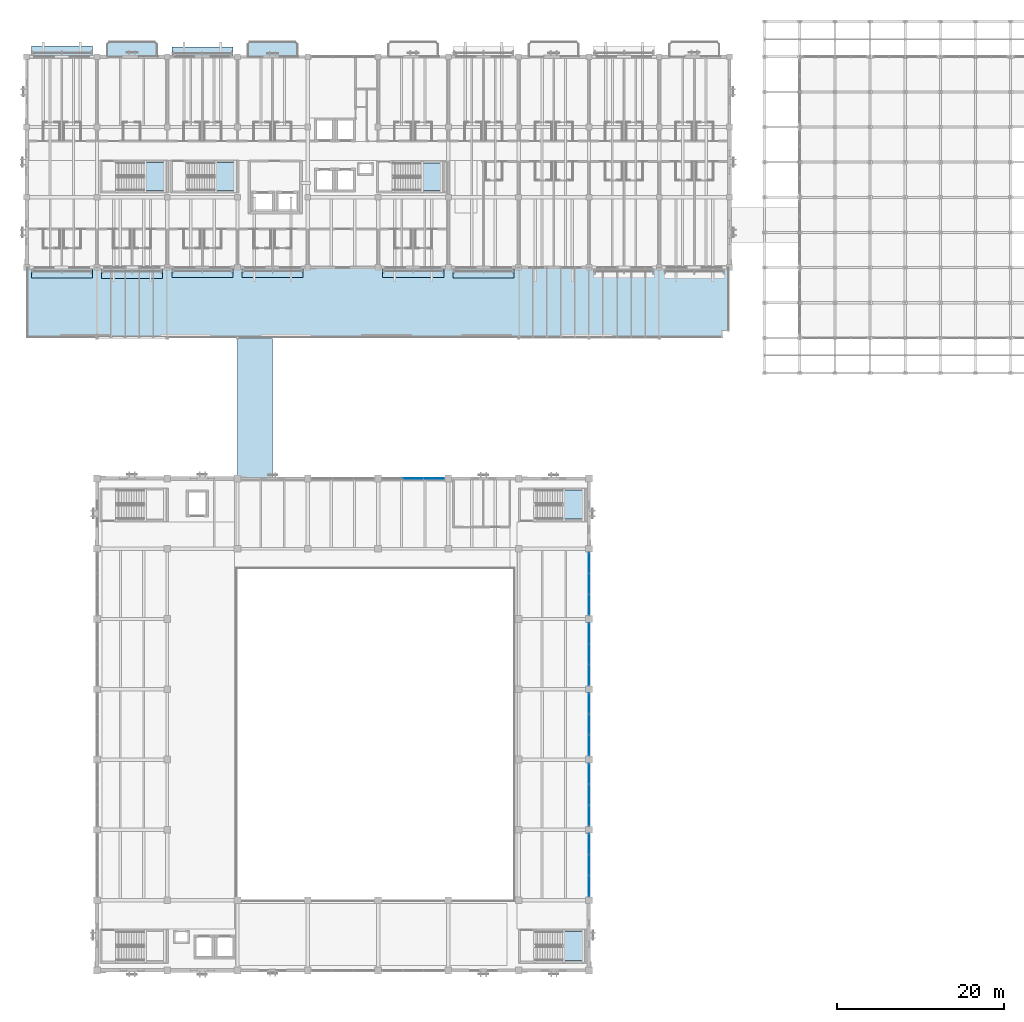
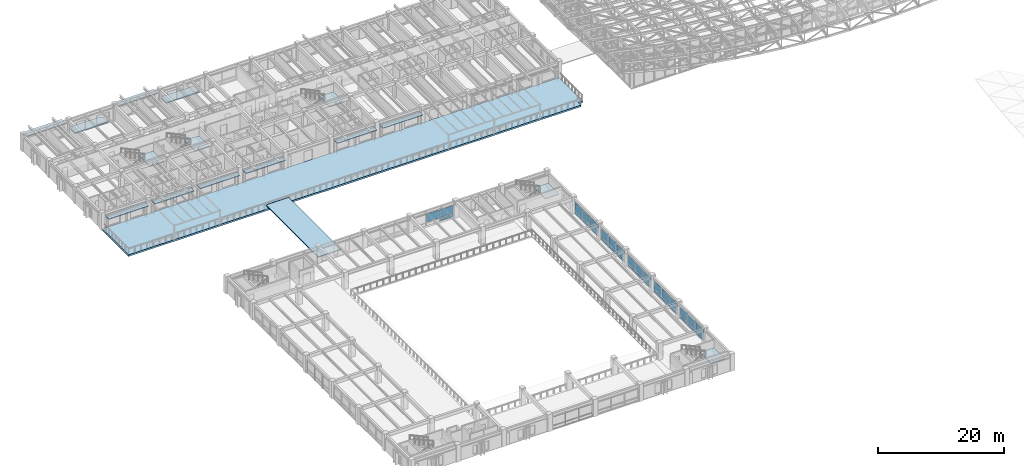
# One storey, part 63 of 111: 41 plates, 9 slabs, 19 elements without a shape of their own.
"""IFC4 building model written with IfcOpenShell, lengths in metres."""

from ifc_helpers import new_model, si_unit, direction, frame, origin, origin_2d, place, context, subcontext, project, spatial, polyline, rectangle, outline, extrude, material, layer, layer_set, type_object, element, aggregate, save


model = new_model("IFC4")

# Units and contexts
model_context = context("Model", 3, precision=1e-05, world=origin(), true_north=direction((0.0, 1.0)))
body_context = subcontext(model_context, "Body", "Model", "MODEL_VIEW")
ifc_project = project(units=[si_unit("LENGTHUNIT", "METRE"), si_unit("AREAUNIT", "SQUARE_METRE"), si_unit("VOLUMEUNIT", "CUBIC_METRE"), si_unit("PLANEANGLEUNIT", "RADIAN"), si_unit("MASSUNIT", "GRAM", prefix="KILO")], contexts=[model_context])

# Site, building, storey
site_placement = place(None, origin())
site = spatial("IfcSite", under=ifc_project, at=site_placement, CompositionType="ELEMENT")
building_placement = place(site_placement, origin())
building = spatial("IfcBuilding", under=site, at=building_placement, Name="Cumbredor Promenade Congress Hotel", CompositionType="ELEMENT")
storey_placement = place(building_placement, frame((0.0, 0.0, 15.1201171875)))
storey = spatial("IfcBuildingStorey", under=building, at=storey_placement, Name="L04", CompositionType="ELEMENT", Elevation=15.1201171875)

# Slabs
ifc_material_1 = material(Name="Concrete C40/50", Category="concrete")
ifc_layer_1 = layer(ifc_material_1, 0.215087890625, Name="Concrete C40/50", Category="concrete")
ifc_layer_set_1 = layer_set([ifc_layer_1], Name="Concrete C40/50")
slab_type_1 = type_object("IfcSlabType", Name="Cantilevered Guestroom Balcony Slab 215mm", PredefinedType="FLOOR", material=ifc_layer_set_1)
slab_1_placement = place(storey_placement, frame((0.0, 0.0, -0.215087890625)))
element("IfcSlab", 1, at=slab_1_placement, inside=storey, type_object=slab_type_1, Name="L04 Cantilevered Guestroom Veranda Balcony 020", PredefinedType="FLOOR", context=body_context, shape_type="SweptSolid", body=[
    extrude(outline(polyline([(9.550048828125, 117.60009765625), (15.64990234375, 117.60009765625), (15.64990234375, 119.10009765625), (15.300048828125, 119.449951171875), (9.89990234375, 119.449951171875), (9.550048828125, 119.10009765625), (9.550048828125, 117.60009765625)])), origin(), (0.0, 0.0, 1.0), 0.215087890625),
])
slab_2_placement = place(storey_placement, frame((0.0, 0.0, -0.215087890625)))
element("IfcSlab", 2, at=slab_2_placement, inside=storey, type_object=slab_type_1, Name="L04 Cantilevered Guestroom Veranda Balcony 021", PredefinedType="FLOOR", context=body_context, shape_type="SweptSolid", body=[
    extrude(outline(polyline([(26.35009765625, 117.60009765625), (32.449951171875, 117.60009765625), (32.449951171875, 119.10009765625), (32.10009765625, 119.449951171875), (26.699951171875, 119.449951171875), (26.35009765625, 119.10009765625), (26.35009765625, 117.60009765625)])), origin(), (0.0, 0.0, 1.0), 0.215087890625),
])

# Stair, slab
stair_type_1 = type_object("IfcStairType", Name="Protected Dog-Leg Exit Stair ST-T2 1600mm", PredefinedType="HALF_TURN_STAIR", material=ifc_material_1)
stair_1_placement = place(storey_placement, origin())
stair_1 = element("IfcStair", 3, at=stair_1_placement, inside=storey, type_object=stair_type_1, Name="L04 Protected Exit Stair ST-01", PredefinedType="HALF_TURN_STAIR")
ifc_layer_2 = layer(ifc_material_1, 0.199951171875, Name="Concrete C40/50", Category="concrete")
ifc_layer_set_2 = layer_set([ifc_layer_2], Name="Concrete C40/50")
slab_type_2 = type_object("IfcSlabType", Name="Concrete Stair Landing Slab 200mm", PredefinedType="LANDING", material=ifc_layer_set_2)
slab_3_placement = place(storey_placement, frame((0.0, 0.0, 1.47998046875)))
slab_3 = element("IfcSlab", 4, at=slab_3_placement, type_object=slab_type_2, Name="ST-01 landing 1", PredefinedType="LANDING", context=body_context, shape_type="SweptSolid", body=[
    extrude(outline(polyline([(14.050048828125, 101.6201171875), (16.64990234375, 101.6201171875), (16.64990234375, 104.969970703125), (14.050048828125, 104.969970703125), (14.050048828125, 101.6201171875)])), origin(), (0.0, 0.0, 1.0), 0.199951171875),
])
aggregate(stair_1, [slab_3])

stair_2_placement = place(storey_placement, origin())
stair_2 = element("IfcStair", 5, at=stair_2_placement, inside=storey, type_object=stair_type_1, Name="L04 Protected Exit Stair ST-02", PredefinedType="HALF_TURN_STAIR")
slab_4_placement = place(storey_placement, frame((0.0, 0.0, 1.47998046875)))
slab_4 = element("IfcSlab", 6, at=slab_4_placement, type_object=slab_type_2, Name="ST-02 landing 1", PredefinedType="LANDING", context=body_context, shape_type="SweptSolid", body=[
    extrude(outline(polyline([(22.449951171875, 101.6201171875), (25.050048828125, 101.6201171875), (25.050048828125, 104.969970703125), (22.449951171875, 104.969970703125), (22.449951171875, 101.6201171875)])), origin(), (0.0, 0.0, 1.0), 0.199951171875),
])
aggregate(stair_2, [slab_4])

stair_type_2 = type_object("IfcStairType", Name="Protected Dog-Leg Exit Stair ST-T1 1550mm", PredefinedType="HALF_TURN_STAIR", material=ifc_material_1)
stair_3_placement = place(storey_placement, origin())
stair_3 = element("IfcStair", 7, at=stair_3_placement, inside=storey, type_object=stair_type_2, Name="L04 Protected Exit Stair ST-03", PredefinedType="HALF_TURN_STAIR")
slab_5_placement = place(storey_placement, frame((0.0, 0.0, 1.47998046875)))
slab_5 = element("IfcSlab", 8, at=slab_5_placement, type_object=slab_type_2, Name="ST-03 landing 1", PredefinedType="LANDING", context=body_context, shape_type="SweptSolid", body=[
    extrude(outline(polyline([(47.10009765625, 101.6201171875), (49.699951171875, 101.6201171875), (49.699951171875, 104.8701171875), (47.10009765625, 104.8701171875), (47.10009765625, 101.6201171875)])), origin(), (0.0, 0.0, 1.0), 0.199951171875),
])
aggregate(stair_3, [slab_5])

stair_type_3 = type_object("IfcStairType", Name="Protected Dog-Leg Exit Stair ST-T3 1650mm", PredefinedType="HALF_TURN_STAIR", material=ifc_material_1)
stair_4_placement = place(storey_placement, origin())
stair_4 = element("IfcStair", 9, at=stair_4_placement, inside=storey, type_object=stair_type_3, Name="L04 Protected Exit Stair ST-05", PredefinedType="HALF_TURN_STAIR")
slab_6_placement = place(storey_placement, frame((0.0, 0.0, 1.47998046875)))
slab_6 = element("IfcSlab", 10, at=slab_6_placement, type_object=slab_type_2, Name="ST-05 landing 1", PredefinedType="LANDING", context=body_context, shape_type="SweptSolid", body=[
    extrude(outline(polyline([(64.050048828125, 9.60009765625), (66.64990234375, 9.60009765625), (66.64990234375, 13.050048828125), (64.050048828125, 13.050048828125), (64.050048828125, 9.60009765625)])), origin(), (0.0, 0.0, 1.0), 0.199951171875),
])
aggregate(stair_4, [slab_6])

stair_5_placement = place(storey_placement, origin())
stair_5 = element("IfcStair", 11, at=stair_5_placement, inside=storey, type_object=stair_type_3, Name="L04 Protected Exit Stair ST-07", PredefinedType="HALF_TURN_STAIR")
slab_7_placement = place(storey_placement, frame((0.0, 0.0, 1.47998046875)))
slab_7 = element("IfcSlab", 12, at=slab_7_placement, type_object=slab_type_2, Name="ST-07 landing 1", PredefinedType="LANDING", context=body_context, shape_type="SweptSolid", body=[
    extrude(outline(polyline([(64.050048828125, 62.35009765625), (66.64990234375, 62.35009765625), (66.64990234375, 65.800048828125), (64.050048828125, 65.800048828125), (64.050048828125, 62.35009765625)])), origin(), (0.0, 0.0, 1.0), 0.199951171875),
])
aggregate(stair_5, [slab_7])

# Curtain wall, plates
ifc_material_2 = material(Name="Thermally broken anodized aluminium and low-E glass", Category="aluminium")
curtain_wall_type_1 = type_object("IfcCurtainWallType", Name="Unitised Bronze Curtain Wall CW-01", PredefinedType="NOTDEFINED", material=ifc_material_2)
curtain_wall_1_placement = place(storey_placement, origin())
curtain_wall_1 = element("IfcCurtainWall", 13, at=curtain_wall_1_placement, inside=storey, type_object=curtain_wall_type_1, Name="L04 Plenary Congress Hall North Curtain Wall 5", PredefinedType="NOTDEFINED")
ifc_material_3 = material(Name="Laminated low-E solar-control glass", Category="glass")
ifc_layer_3 = layer(ifc_material_3, 0.028076171875, Name="Laminated low-E solar-control glass", Category="glass")
ifc_layer_set_3 = layer_set([ifc_layer_3], Name="Laminated low-E solar-control glass")
plate_type_1 = type_object("IfcPlateType", Name="Glazed Vision Panel PNL-01", PredefinedType="CURTAIN_PANEL", material=ifc_layer_set_3)
plate_1_placement = place(storey_placement, frame((46.199951171875, 67.199951171875, 0.784912109375), z_axis=(0.0, 0.0, 1.0), x_axis=(1.0, 0.0, 0.0)))
plate_1 = element("IfcPlate", 14, at=plate_1_placement, type_object=plate_type_1, Name="L04 Plenary Congress Hall North Curtain Wall 5 Glazing Panel 2.2", PredefinedType="CURTAIN_PANEL", context=body_context, shape_type="SweptSolid", body=[
    extrude(rectangle(XDim=2.431640625, YDim=0.028076171875, at=origin_2d()), origin(), (0.0, 0.0, 1.0), 1.580078125),
])
plate_2_placement = place(storey_placement, frame((48.69677734375, 67.199951171875, 0.784912109375), z_axis=(0.0, 0.0, 1.0), x_axis=(1.0, 0.0, 0.0)))
plate_2 = element("IfcPlate", 15, at=plate_2_placement, type_object=plate_type_1, Name="L04 Plenary Congress Hall North Curtain Wall 5 Glazing Panel 3.2", PredefinedType="CURTAIN_PANEL", context=body_context, shape_type="SweptSolid", body=[
    extrude(rectangle(XDim=2.431640625, YDim=0.028076171875, at=origin_2d()), origin(), (0.0, 0.0, 1.0), 1.580078125),
])

curtain_wall_2_placement = place(storey_placement, origin())
curtain_wall_2 = element("IfcCurtainWall", 16, at=curtain_wall_2_placement, inside=storey, type_object=curtain_wall_type_1, Name="L04 Plenary Congress Hall East Curtain Wall 2", PredefinedType="NOTDEFINED")
plate_3_placement = place(storey_placement, frame((67.199951171875, 18.50341796875, 0.784912109375), z_axis=(0.0, 0.0, 1.0), x_axis=(0.0, 1.0, 0.0)))
plate_3 = element("IfcPlate", 17, at=plate_3_placement, type_object=plate_type_1, Name="L04 Plenary Congress Hall East Curtain Wall 2 Glazing Panel 1.2", PredefinedType="CURTAIN_PANEL", context=body_context, shape_type="SweptSolid", body=[
    extrude(rectangle(XDim=2.431640625, YDim=0.028076171875, at=origin_2d()), origin(), (0.0, 0.0, 1.0), 1.580078125),
])
plate_4_placement = place(storey_placement, frame((67.199951171875, 21.0, 0.784912109375), z_axis=(0.0, 0.0, 1.0), x_axis=(0.0, 1.0, 0.0)))
plate_4 = element("IfcPlate", 18, at=plate_4_placement, type_object=plate_type_1, Name="L04 Plenary Congress Hall East Curtain Wall 2 Glazing Panel 2.2", PredefinedType="CURTAIN_PANEL", context=body_context, shape_type="SweptSolid", body=[
    extrude(rectangle(XDim=2.431640625, YDim=0.028076171875, at=origin_2d()), origin(), (0.0, 0.0, 1.0), 1.580078125),
])
plate_5_placement = place(storey_placement, frame((67.199951171875, 23.49658203125, 0.784912109375), z_axis=(0.0, 0.0, 1.0), x_axis=(0.0, 1.0, 0.0)))
plate_5 = element("IfcPlate", 19, at=plate_5_placement, type_object=plate_type_1, Name="L04 Plenary Congress Hall East Curtain Wall 2 Glazing Panel 3.2", PredefinedType="CURTAIN_PANEL", context=body_context, shape_type="SweptSolid", body=[
    extrude(rectangle(XDim=2.431640625, YDim=0.028076171875, at=origin_2d()), origin(), (0.0, 0.0, 1.0), 1.580078125),
])

curtain_wall_3_placement = place(storey_placement, origin())
curtain_wall_3 = element("IfcCurtainWall", 20, at=curtain_wall_3_placement, inside=storey, type_object=curtain_wall_type_1, Name="L04 Plenary Congress Hall East Curtain Wall 5", PredefinedType="NOTDEFINED")
plate_6_placement = place(storey_placement, frame((67.199951171875, 43.703369140625, 0.784912109375), z_axis=(0.0, 0.0, 1.0), x_axis=(0.0, 1.0, 0.0)))
plate_6 = element("IfcPlate", 21, at=plate_6_placement, type_object=plate_type_1, Name="L04 Plenary Congress Hall East Curtain Wall 5 Glazing Panel 1.2", PredefinedType="CURTAIN_PANEL", context=body_context, shape_type="SweptSolid", body=[
    extrude(rectangle(XDim=2.431640625, YDim=0.028076171875, at=origin_2d()), origin(), (0.0, 0.0, 1.0), 1.580078125),
])
plate_7_placement = place(storey_placement, frame((67.199951171875, 46.199951171875, 0.784912109375), z_axis=(0.0, 0.0, 1.0), x_axis=(0.0, 1.0, 0.0)))
plate_7 = element("IfcPlate", 22, at=plate_7_placement, type_object=plate_type_1, Name="L04 Plenary Congress Hall East Curtain Wall 5 Glazing Panel 2.2", PredefinedType="CURTAIN_PANEL", context=body_context, shape_type="SweptSolid", body=[
    extrude(rectangle(XDim=2.431640625, YDim=0.028076171875, at=origin_2d()), origin(), (0.0, 0.0, 1.0), 1.580078125),
])
plate_8_placement = place(storey_placement, frame((67.199951171875, 48.69677734375, 0.784912109375), z_axis=(0.0, 0.0, 1.0), x_axis=(0.0, 1.0, 0.0)))
plate_8 = element("IfcPlate", 23, at=plate_8_placement, type_object=plate_type_1, Name="L04 Plenary Congress Hall East Curtain Wall 5 Glazing Panel 3.2", PredefinedType="CURTAIN_PANEL", context=body_context, shape_type="SweptSolid", body=[
    extrude(rectangle(XDim=2.431640625, YDim=0.028076171875, at=origin_2d()), origin(), (0.0, 0.0, 1.0), 1.580078125),
])

curtain_wall_4_placement = place(storey_placement, origin())
curtain_wall_4 = element("IfcCurtainWall", 24, at=curtain_wall_4_placement, inside=storey, type_object=curtain_wall_type_1, Name="L04 Plenary Congress Hall East Curtain Wall 3", PredefinedType="NOTDEFINED")
ifc_layer_4 = layer(ifc_material_3, 0.031982421875, Name="Laminated low-E solar-control glass", Category="glass")
ifc_layer_set_4 = layer_set([ifc_layer_4], Name="Laminated low-E solar-control glass")
plate_type_2 = type_object("IfcPlateType", Name="Glazed Vision Panel PNL-02", PredefinedType="CURTAIN_PANEL", material=ifc_layer_set_4)
plate_9_placement = place(storey_placement, frame((67.199951171875, 26.9033203125, 0.794921875), z_axis=(0.0, 0.0, 1.0), x_axis=(0.0, 1.0, 0.0)))
plate_9 = element("IfcPlate", 25, at=plate_9_placement, type_object=plate_type_2, Name="L04 Plenary Congress Hall East Curtain Wall 3 Glazing Panel 1.2", PredefinedType="CURTAIN_PANEL", context=body_context, shape_type="SweptSolid", body=[
    extrude(rectangle(XDim=2.421630859375, YDim=0.031982421875, at=origin_2d()), origin(), (0.0, 0.0, 1.0), 1.550048828125),
])
plate_10_placement = place(storey_placement, frame((67.199951171875, 29.39990234375, 0.794921875), z_axis=(0.0, 0.0, 1.0), x_axis=(0.0, 1.0, 0.0)))
plate_10 = element("IfcPlate", 26, at=plate_10_placement, type_object=plate_type_2, Name="L04 Plenary Congress Hall East Curtain Wall 3 Glazing Panel 2.2", PredefinedType="CURTAIN_PANEL", context=body_context, shape_type="SweptSolid", body=[
    extrude(rectangle(XDim=2.421630859375, YDim=0.031982421875, at=origin_2d()), origin(), (0.0, 0.0, 1.0), 1.550048828125),
])
plate_11_placement = place(storey_placement, frame((67.199951171875, 31.896728515625, 0.794921875), z_axis=(0.0, 0.0, 1.0), x_axis=(0.0, 1.0, 0.0)))
plate_11 = element("IfcPlate", 27, at=plate_11_placement, type_object=plate_type_2, Name="L04 Plenary Congress Hall East Curtain Wall 3 Glazing Panel 3.2", PredefinedType="CURTAIN_PANEL", context=body_context, shape_type="SweptSolid", body=[
    extrude(rectangle(XDim=2.421630859375, YDim=0.031982421875, at=origin_2d()), origin(), (0.0, 0.0, 1.0), 1.550048828125),
])

curtain_wall_5_placement = place(storey_placement, origin())
curtain_wall_5 = element("IfcCurtainWall", 28, at=curtain_wall_5_placement, inside=storey, type_object=curtain_wall_type_1, Name="L04 Plenary Congress Hall East Curtain Wall 6", PredefinedType="NOTDEFINED")
plate_12_placement = place(storey_placement, frame((67.199951171875, 52.103271484375, 0.794921875), z_axis=(0.0, 0.0, 1.0), x_axis=(0.0, 1.0, 0.0)))
plate_12 = element("IfcPlate", 29, at=plate_12_placement, type_object=plate_type_2, Name="L04 Plenary Congress Hall East Curtain Wall 6 Glazing Panel 1.2", PredefinedType="CURTAIN_PANEL", context=body_context, shape_type="SweptSolid", body=[
    extrude(rectangle(XDim=2.421630859375, YDim=0.031982421875, at=origin_2d()), origin(), (0.0, 0.0, 1.0), 1.550048828125),
])
plate_13_placement = place(storey_placement, frame((67.199951171875, 54.60009765625, 0.794921875), z_axis=(0.0, 0.0, 1.0), x_axis=(0.0, 1.0, 0.0)))
plate_13 = element("IfcPlate", 30, at=plate_13_placement, type_object=plate_type_2, Name="L04 Plenary Congress Hall East Curtain Wall 6 Glazing Panel 2.2", PredefinedType="CURTAIN_PANEL", context=body_context, shape_type="SweptSolid", body=[
    extrude(rectangle(XDim=2.421630859375, YDim=0.031982421875, at=origin_2d()), origin(), (0.0, 0.0, 1.0), 1.550048828125),
])
plate_14_placement = place(storey_placement, frame((67.199951171875, 57.0966796875, 0.794921875), z_axis=(0.0, 0.0, 1.0), x_axis=(0.0, 1.0, 0.0)))
plate_14 = element("IfcPlate", 31, at=plate_14_placement, type_object=plate_type_2, Name="L04 Plenary Congress Hall East Curtain Wall 6 Glazing Panel 3.2", PredefinedType="CURTAIN_PANEL", context=body_context, shape_type="SweptSolid", body=[
    extrude(rectangle(XDim=2.421630859375, YDim=0.031982421875, at=origin_2d()), origin(), (0.0, 0.0, 1.0), 1.550048828125),
])

curtain_wall_6_placement = place(storey_placement, origin())
curtain_wall_6 = element("IfcCurtainWall", 32, at=curtain_wall_6_placement, inside=storey, type_object=curtain_wall_type_1, Name="L04 Plenary Congress Hall East Curtain Wall 4", PredefinedType="NOTDEFINED")
ifc_layer_5 = layer(ifc_material_3, 0.028076171875, Name="Laminated low-E solar-control glass", Category="glass")
ifc_layer_set_5 = layer_set([ifc_layer_5], Name="Laminated low-E solar-control glass")
plate_type_3 = type_object("IfcPlateType", Name="Glazed Vision Panel PNL-03", PredefinedType="CURTAIN_PANEL", material=ifc_layer_set_5)
plate_15_placement = place(storey_placement, frame((67.199951171875, 35.30322265625, 0.809814453125), z_axis=(0.0, 0.0, 1.0), x_axis=(0.0, 1.0, 0.0)))
plate_15 = element("IfcPlate", 33, at=plate_15_placement, type_object=plate_type_3, Name="L04 Plenary Congress Hall East Curtain Wall 4 Glazing Panel 1.2", PredefinedType="CURTAIN_PANEL", context=body_context, shape_type="SweptSolid", body=[
    extrude(rectangle(XDim=2.416748046875, YDim=0.028076171875, at=origin_2d()), origin(), (0.0, 0.0, 1.0), 1.5),
])
plate_16_placement = place(storey_placement, frame((67.199951171875, 37.800048828125, 0.809814453125), z_axis=(0.0, 0.0, 1.0), x_axis=(0.0, 1.0, 0.0)))
plate_16 = element("IfcPlate", 34, at=plate_16_placement, type_object=plate_type_3, Name="L04 Plenary Congress Hall East Curtain Wall 4 Glazing Panel 2.2", PredefinedType="CURTAIN_PANEL", context=body_context, shape_type="SweptSolid", body=[
    extrude(rectangle(XDim=2.41650390625, YDim=0.028076171875, at=origin_2d()), origin(), (0.0, 0.0, 1.0), 1.5),
])
plate_17_placement = place(storey_placement, frame((67.199951171875, 40.296630859375, 0.809814453125), z_axis=(0.0, 0.0, 1.0), x_axis=(0.0, 1.0, 0.0)))
plate_17 = element("IfcPlate", 35, at=plate_17_placement, type_object=plate_type_3, Name="L04 Plenary Congress Hall East Curtain Wall 4 Glazing Panel 3.2", PredefinedType="CURTAIN_PANEL", context=body_context, shape_type="SweptSolid", body=[
    extrude(rectangle(XDim=2.416748046875, YDim=0.028076171875, at=origin_2d()), origin(), (0.0, 0.0, 1.0), 1.5),
])

# Curtain wall, plate
curtain_wall_type_2 = type_object("IfcCurtainWallType", Name="Solar Brise-Soleil Screen Assembly CW-07", PredefinedType="NOTDEFINED", material=ifc_material_2)
curtain_wall_7_placement = place(storey_placement, origin())
curtain_wall_7 = element("IfcCurtainWall", 36, at=curtain_wall_7_placement, inside=storey, type_object=curtain_wall_type_2, Name="L04 Hospitality Brise-Soleil Screen 066", PredefinedType="NOTDEFINED")
ifc_material_4 = material(Name="Precast concrete C40/50", Category="concrete")
ifc_layer_6 = layer(ifc_material_4, 0.14501953125, Name="Precast concrete C40/50", Category="concrete")
ifc_layer_set_6 = layer_set([ifc_layer_6], Name="Precast concrete C40/50")
plate_type_4 = type_object("IfcPlateType", Name="Horizontal Precast Sun-Hood Eyebrow Plate 145mm", PredefinedType="USERDEFINED", material=ifc_layer_set_6)
plate_18_placement = place(storey_placement, frame((4.199951171875, 91.808837890625, 2.333984375), z_axis=(0.0, 0.0, 1.0), x_axis=(1.0, 0.0, 0.0)))
plate_18 = element("IfcPlate", 37, at=plate_18_placement, type_object=plate_type_4, Name="L04 Horizontal Sun-Hood Eyebrow 066", ObjectType="SUN HOOD", PredefinedType="USERDEFINED", context=body_context, shape_type="SweptSolid", body=[
    extrude(rectangle(XDim=7.298095703125, YDim=1.342529296875, at=origin_2d()), origin(), (0.0, 0.0, 1.0), 0.14501953125),
])
aggregate(curtain_wall_7, [plate_18])

curtain_wall_8_placement = place(storey_placement, origin())
curtain_wall_8 = element("IfcCurtainWall", 38, at=curtain_wall_8_placement, inside=storey, type_object=curtain_wall_type_2, Name="L04 Hospitality Brise-Soleil Screen 067", PredefinedType="NOTDEFINED")
plate_19_placement = place(storey_placement, frame((12.60009765625, 91.802490234375, 2.333984375), z_axis=(0.0, 0.0, 1.0), x_axis=(1.0, 0.0, 0.0)))
plate_19 = element("IfcPlate", 39, at=plate_19_placement, type_object=plate_type_4, Name="L04 Horizontal Sun-Hood Eyebrow 067", ObjectType="SUN HOOD", PredefinedType="USERDEFINED", context=body_context, shape_type="SweptSolid", body=[
    extrude(rectangle(XDim=7.298095703125, YDim=1.35498046875, at=origin_2d()), origin(), (0.0, 0.0, 1.0), 0.14501953125),
])
aggregate(curtain_wall_8, [plate_19])

curtain_wall_9_placement = place(storey_placement, origin())
curtain_wall_9 = element("IfcCurtainWall", 40, at=curtain_wall_9_placement, inside=storey, type_object=curtain_wall_type_2, Name="L04 Hospitality Brise-Soleil Screen 068", PredefinedType="NOTDEFINED")
plate_20_placement = place(storey_placement, frame((21.0, 91.85009765625, 2.333984375), z_axis=(0.0, 0.0, 1.0), x_axis=(1.0, 0.0, 0.0)))
plate_20 = element("IfcPlate", 41, at=plate_20_placement, type_object=plate_type_4, Name="L04 Horizontal Sun-Hood Eyebrow 068", ObjectType="SUN HOOD", PredefinedType="USERDEFINED", context=body_context, shape_type="SweptSolid", body=[
    extrude(rectangle(XDim=7.298095703125, YDim=1.260009765625, at=origin_2d()), origin(), (0.0, 0.0, 1.0), 0.14501953125),
])
aggregate(curtain_wall_9, [plate_20])

curtain_wall_10_placement = place(storey_placement, origin())
curtain_wall_10 = element("IfcCurtainWall", 42, at=curtain_wall_10_placement, inside=storey, type_object=curtain_wall_type_2, Name="L04 Hospitality Brise-Soleil Screen 069", PredefinedType="NOTDEFINED")
plate_21_placement = place(storey_placement, frame((29.39990234375, 91.844970703125, 2.333984375), z_axis=(0.0, 0.0, 1.0), x_axis=(1.0, 0.0, 0.0)))
plate_21 = element("IfcPlate", 43, at=plate_21_placement, type_object=plate_type_4, Name="L04 Horizontal Sun-Hood Eyebrow 069", ObjectType="SUN HOOD", PredefinedType="USERDEFINED", context=body_context, shape_type="SweptSolid", body=[
    extrude(rectangle(XDim=7.298095703125, YDim=1.27001953125, at=origin_2d()), origin(), (0.0, 0.0, 1.0), 0.14501953125),
])
aggregate(curtain_wall_10, [plate_21])

curtain_wall_11_placement = place(storey_placement, origin())
curtain_wall_11 = element("IfcCurtainWall", 44, at=curtain_wall_11_placement, inside=storey, type_object=curtain_wall_type_2, Name="L04 Hospitality Brise-Soleil Screen 070", PredefinedType="NOTDEFINED")
plate_22_placement = place(storey_placement, frame((46.199951171875, 91.833740234375, 2.333984375), z_axis=(0.0, 0.0, 1.0), x_axis=(1.0, 0.0, 0.0)))
plate_22 = element("IfcPlate", 45, at=plate_22_placement, type_object=plate_type_4, Name="L04 Horizontal Sun-Hood Eyebrow 070", ObjectType="SUN HOOD", PredefinedType="USERDEFINED", context=body_context, shape_type="SweptSolid", body=[
    extrude(rectangle(XDim=7.298095703125, YDim=1.29248046875, at=origin_2d()), origin(), (0.0, 0.0, 1.0), 0.14501953125),
])
aggregate(curtain_wall_11, [plate_22])

curtain_wall_12_placement = place(storey_placement, origin())
curtain_wall_12 = element("IfcCurtainWall", 46, at=curtain_wall_12_placement, inside=storey, type_object=curtain_wall_type_2, Name="L04 Hospitality Brise-Soleil Screen 071", PredefinedType="NOTDEFINED")
plate_23_placement = place(storey_placement, frame((54.60009765625, 91.827392578125, 2.333984375), z_axis=(0.0, 0.0, 1.0), x_axis=(1.0, 0.0, 0.0)))
plate_23 = element("IfcPlate", 47, at=plate_23_placement, type_object=plate_type_4, Name="L04 Horizontal Sun-Hood Eyebrow 071", ObjectType="SUN HOOD", PredefinedType="USERDEFINED", context=body_context, shape_type="SweptSolid", body=[
    extrude(rectangle(XDim=7.298095703125, YDim=1.304931640625, at=origin_2d()), origin(), (0.0, 0.0, 1.0), 0.14501953125),
])
aggregate(curtain_wall_12, [plate_23])

curtain_wall_13_placement = place(storey_placement, origin())
curtain_wall_13 = element("IfcCurtainWall", 48, at=curtain_wall_13_placement, inside=storey, type_object=curtain_wall_type_2, Name="L04 Hospitality Brise-Soleil Screen 074", PredefinedType="NOTDEFINED")
plate_24_placement = place(storey_placement, frame((4.199951171875, 118.191162109375, 2.333984375), z_axis=(0.0, 0.0, 1.0), x_axis=(1.0, 0.0, 0.0)))
plate_24 = element("IfcPlate", 49, at=plate_24_placement, type_object=plate_type_4, Name="L04 Horizontal Sun-Hood Eyebrow 074", ObjectType="SUN HOOD", PredefinedType="USERDEFINED", context=body_context, shape_type="SweptSolid", body=[
    extrude(rectangle(XDim=7.298095703125, YDim=1.342529296875, at=origin_2d()), origin(), (0.0, 0.0, 1.0), 0.14501953125),
])
aggregate(curtain_wall_13, [plate_24])

curtain_wall_14_placement = place(storey_placement, origin())
curtain_wall_14 = element("IfcCurtainWall", 50, at=curtain_wall_14_placement, inside=storey, type_object=curtain_wall_type_2, Name="L04 Hospitality Brise-Soleil Screen 075", PredefinedType="NOTDEFINED")
plate_25_placement = place(storey_placement, frame((21.0, 118.14990234375, 2.333984375), z_axis=(0.0, 0.0, 1.0), x_axis=(1.0, 0.0, 0.0)))
plate_25 = element("IfcPlate", 51, at=plate_25_placement, type_object=plate_type_4, Name="L04 Horizontal Sun-Hood Eyebrow 075", ObjectType="SUN HOOD", PredefinedType="USERDEFINED", context=body_context, shape_type="SweptSolid", body=[
    extrude(rectangle(XDim=7.298095703125, YDim=1.260009765625, at=origin_2d()), origin(), (0.0, 0.0, 1.0), 0.14501953125),
])
aggregate(curtain_wall_14, [plate_25])

# Plate
ifc_material_5 = material(Name="Thermally broken anodized aluminium", Category="aluminium")
ifc_layer_7 = layer(ifc_material_5, 0.0400390625, Name="Thermally broken anodized aluminium", Category="aluminium")
ifc_layer_set_7 = layer_set([ifc_layer_7], Name="Thermally broken anodized aluminium")
plate_type_5 = type_object("IfcPlateType", Name="Insulated Spandrel Panel PNL-05", PredefinedType="CURTAIN_PANEL", material=ifc_layer_set_7)
plate_26_placement = place(storey_placement, frame((67.199951171875, 26.9033203125, 0.144775390625), z_axis=(0.0, 0.0, 1.0), x_axis=(0.0, 1.0, 0.0)))
plate_26 = element("IfcPlate", 52, at=plate_26_placement, type_object=plate_type_5, Name="L04 Plenary Congress Hall East Curtain Wall 3 Spandrel Panel 1.1", PredefinedType="CURTAIN_PANEL", context=body_context, shape_type="SweptSolid", body=[
    extrude(rectangle(XDim=2.421630859375, YDim=0.0400390625, at=origin_2d()), origin(), (0.0, 0.0, 1.0), 0.5),
])

plate_27_placement = place(storey_placement, frame((67.199951171875, 29.39990234375, 0.144775390625), z_axis=(0.0, 0.0, 1.0), x_axis=(0.0, 1.0, 0.0)))
plate_27 = element("IfcPlate", 53, at=plate_27_placement, type_object=plate_type_5, Name="L04 Plenary Congress Hall East Curtain Wall 3 Spandrel Panel 2.1", PredefinedType="CURTAIN_PANEL", context=body_context, shape_type="SweptSolid", body=[
    extrude(rectangle(XDim=2.421630859375, YDim=0.0400390625, at=origin_2d()), origin(), (0.0, 0.0, 1.0), 0.5),
])

plate_28_placement = place(storey_placement, frame((67.199951171875, 31.896728515625, 0.144775390625), z_axis=(0.0, 0.0, 1.0), x_axis=(0.0, 1.0, 0.0)))
plate_28 = element("IfcPlate", 54, at=plate_28_placement, type_object=plate_type_5, Name="L04 Plenary Congress Hall East Curtain Wall 3 Spandrel Panel 3.1", PredefinedType="CURTAIN_PANEL", context=body_context, shape_type="SweptSolid", body=[
    extrude(rectangle(XDim=2.421630859375, YDim=0.0400390625, at=origin_2d()), origin(), (0.0, 0.0, 1.0), 0.5),
])

aggregate(curtain_wall_4, [plate_26, plate_9, plate_27, plate_10, plate_28, plate_11])

plate_29_placement = place(storey_placement, frame((67.199951171875, 43.703369140625, 0.125), z_axis=(0.0, 0.0, 1.0), x_axis=(0.0, 1.0, 0.0)))
plate_29 = element("IfcPlate", 55, at=plate_29_placement, type_object=plate_type_5, Name="L04 Plenary Congress Hall East Curtain Wall 5 Spandrel Panel 1.1", PredefinedType="CURTAIN_PANEL", context=body_context, shape_type="SweptSolid", body=[
    extrude(rectangle(XDim=2.431640625, YDim=0.0400390625, at=origin_2d()), origin(), (0.0, 0.0, 1.0), 0.530029296875),
])

plate_30_placement = place(storey_placement, frame((67.199951171875, 46.199951171875, 0.125), z_axis=(0.0, 0.0, 1.0), x_axis=(0.0, 1.0, 0.0)))
plate_30 = element("IfcPlate", 56, at=plate_30_placement, type_object=plate_type_5, Name="L04 Plenary Congress Hall East Curtain Wall 5 Spandrel Panel 2.1", PredefinedType="CURTAIN_PANEL", context=body_context, shape_type="SweptSolid", body=[
    extrude(rectangle(XDim=2.431640625, YDim=0.0400390625, at=origin_2d()), origin(), (0.0, 0.0, 1.0), 0.530029296875),
])

plate_31_placement = place(storey_placement, frame((67.199951171875, 48.69677734375, 0.125), z_axis=(0.0, 0.0, 1.0), x_axis=(0.0, 1.0, 0.0)))
plate_31 = element("IfcPlate", 57, at=plate_31_placement, type_object=plate_type_5, Name="L04 Plenary Congress Hall East Curtain Wall 5 Spandrel Panel 3.1", PredefinedType="CURTAIN_PANEL", context=body_context, shape_type="SweptSolid", body=[
    extrude(rectangle(XDim=2.431640625, YDim=0.0400390625, at=origin_2d()), origin(), (0.0, 0.0, 1.0), 0.530029296875),
])

aggregate(curtain_wall_3, [plate_29, plate_6, plate_30, plate_7, plate_31, plate_8])

ifc_layer_8 = layer(ifc_material_5, 0.0400390625, Name="Thermally broken anodized aluminium", Category="aluminium")
ifc_layer_set_8 = layer_set([ifc_layer_8], Name="Thermally broken anodized aluminium")
plate_type_6 = type_object("IfcPlateType", Name="Insulated Spandrel Panel PNL-06", PredefinedType="CURTAIN_PANEL", material=ifc_layer_set_8)
plate_32_placement = place(storey_placement, frame((48.69677734375, 67.199951171875, 0.125), z_axis=(0.0, 0.0, 1.0), x_axis=(1.0, 0.0, 0.0)))
plate_32 = element("IfcPlate", 58, at=plate_32_placement, type_object=plate_type_6, Name="L04 Plenary Congress Hall North Curtain Wall 5 Spandrel Panel 3.1", PredefinedType="CURTAIN_PANEL", context=body_context, shape_type="SweptSolid", body=[
    extrude(rectangle(XDim=2.431640625, YDim=0.0400390625, at=origin_2d()), origin(), (0.0, 0.0, 1.0), 0.530029296875),
])

aggregate(curtain_wall_1, [plate_1, plate_32, plate_2])

plate_33_placement = place(storey_placement, frame((67.199951171875, 18.50341796875, 0.125), z_axis=(0.0, 0.0, 1.0), x_axis=(0.0, 1.0, 0.0)))
plate_33 = element("IfcPlate", 59, at=plate_33_placement, type_object=plate_type_6, Name="L04 Plenary Congress Hall East Curtain Wall 2 Spandrel Panel 1.1", PredefinedType="CURTAIN_PANEL", context=body_context, shape_type="SweptSolid", body=[
    extrude(rectangle(XDim=2.431640625, YDim=0.0400390625, at=origin_2d()), origin(), (0.0, 0.0, 1.0), 0.530029296875),
])

plate_34_placement = place(storey_placement, frame((67.199951171875, 21.0, 0.125), z_axis=(0.0, 0.0, 1.0), x_axis=(0.0, 1.0, 0.0)))
plate_34 = element("IfcPlate", 60, at=plate_34_placement, type_object=plate_type_6, Name="L04 Plenary Congress Hall East Curtain Wall 2 Spandrel Panel 2.1", PredefinedType="CURTAIN_PANEL", context=body_context, shape_type="SweptSolid", body=[
    extrude(rectangle(XDim=2.431640625, YDim=0.0400390625, at=origin_2d()), origin(), (0.0, 0.0, 1.0), 0.530029296875),
])

plate_35_placement = place(storey_placement, frame((67.199951171875, 23.49658203125, 0.125), z_axis=(0.0, 0.0, 1.0), x_axis=(0.0, 1.0, 0.0)))
plate_35 = element("IfcPlate", 61, at=plate_35_placement, type_object=plate_type_6, Name="L04 Plenary Congress Hall East Curtain Wall 2 Spandrel Panel 3.1", PredefinedType="CURTAIN_PANEL", context=body_context, shape_type="SweptSolid", body=[
    extrude(rectangle(XDim=2.431640625, YDim=0.0400390625, at=origin_2d()), origin(), (0.0, 0.0, 1.0), 0.530029296875),
])

aggregate(curtain_wall_2, [plate_33, plate_3, plate_34, plate_4, plate_35, plate_5])

plate_36_placement = place(storey_placement, frame((67.199951171875, 35.30322265625, 0.1796875), z_axis=(0.0, 0.0, 1.0), x_axis=(0.0, 1.0, 0.0)))
plate_36 = element("IfcPlate", 62, at=plate_36_placement, type_object=plate_type_6, Name="L04 Plenary Congress Hall East Curtain Wall 4 Spandrel Panel 1.1", PredefinedType="CURTAIN_PANEL", context=body_context, shape_type="SweptSolid", body=[
    extrude(rectangle(XDim=2.416748046875, YDim=0.0400390625, at=origin_2d()), origin(), (0.0, 0.0, 1.0), 0.449951171875),
])

plate_37_placement = place(storey_placement, frame((67.199951171875, 37.800048828125, 0.1796875), z_axis=(0.0, 0.0, 1.0), x_axis=(0.0, 1.0, 0.0)))
plate_37 = element("IfcPlate", 63, at=plate_37_placement, type_object=plate_type_6, Name="L04 Plenary Congress Hall East Curtain Wall 4 Spandrel Panel 2.1", PredefinedType="CURTAIN_PANEL", context=body_context, shape_type="SweptSolid", body=[
    extrude(rectangle(XDim=2.41650390625, YDim=0.0400390625, at=origin_2d()), origin(), (0.0, 0.0, 1.0), 0.449951171875),
])

plate_38_placement = place(storey_placement, frame((67.199951171875, 40.296630859375, 0.1796875), z_axis=(0.0, 0.0, 1.0), x_axis=(0.0, 1.0, 0.0)))
plate_38 = element("IfcPlate", 64, at=plate_38_placement, type_object=plate_type_6, Name="L04 Plenary Congress Hall East Curtain Wall 4 Spandrel Panel 3.1", PredefinedType="CURTAIN_PANEL", context=body_context, shape_type="SweptSolid", body=[
    extrude(rectangle(XDim=2.416748046875, YDim=0.0400390625, at=origin_2d()), origin(), (0.0, 0.0, 1.0), 0.449951171875),
])

aggregate(curtain_wall_6, [plate_36, plate_15, plate_37, plate_16, plate_38, plate_17])

plate_39_placement = place(storey_placement, frame((67.199951171875, 52.103271484375, 0.144775390625), z_axis=(0.0, 0.0, 1.0), x_axis=(0.0, 1.0, 0.0)))
plate_39 = element("IfcPlate", 65, at=plate_39_placement, type_object=plate_type_6, Name="L04 Plenary Congress Hall East Curtain Wall 6 Spandrel Panel 1.1", PredefinedType="CURTAIN_PANEL", context=body_context, shape_type="SweptSolid", body=[
    extrude(rectangle(XDim=2.421630859375, YDim=0.0400390625, at=origin_2d()), origin(), (0.0, 0.0, 1.0), 0.5),
])

plate_40_placement = place(storey_placement, frame((67.199951171875, 54.60009765625, 0.144775390625), z_axis=(0.0, 0.0, 1.0), x_axis=(0.0, 1.0, 0.0)))
plate_40 = element("IfcPlate", 66, at=plate_40_placement, type_object=plate_type_6, Name="L04 Plenary Congress Hall East Curtain Wall 6 Spandrel Panel 2.1", PredefinedType="CURTAIN_PANEL", context=body_context, shape_type="SweptSolid", body=[
    extrude(rectangle(XDim=2.421630859375, YDim=0.0400390625, at=origin_2d()), origin(), (0.0, 0.0, 1.0), 0.5),
])

plate_41_placement = place(storey_placement, frame((67.199951171875, 57.0966796875, 0.144775390625), z_axis=(0.0, 0.0, 1.0), x_axis=(0.0, 1.0, 0.0)))
plate_41 = element("IfcPlate", 67, at=plate_41_placement, type_object=plate_type_6, Name="L04 Plenary Congress Hall East Curtain Wall 6 Spandrel Panel 3.1", PredefinedType="CURTAIN_PANEL", context=body_context, shape_type="SweptSolid", body=[
    extrude(rectangle(XDim=2.421630859375, YDim=0.0400390625, at=origin_2d()), origin(), (0.0, 0.0, 1.0), 0.5),
])

aggregate(curtain_wall_5, [plate_39, plate_12, plate_40, plate_13, plate_41, plate_14])

# Slabs
ifc_layer_9 = layer(ifc_material_1, 0.1650390625, Name="Concrete C40/50", Category="concrete")
ifc_layer_set_9 = layer_set([ifc_layer_9], Name="Concrete C40/50")
slab_type_3 = type_object("IfcSlabType", Name="Link Bridge Canopy Roof Slab 165mm", PredefinedType="ROOF", material=ifc_layer_set_9)
slab_8_placement = place(storey_placement, frame((0.0, 0.0, 0.784912109375)))
element("IfcSlab", 68, at=slab_8_placement, inside=storey, type_object=slab_type_3, Name="West Congress-to-Hotel Glazed Bridge Canopy Roof Slab", PredefinedType="ROOF", context=body_context, shape_type="SweptSolid", body=[
    extrude(outline(polyline([(25.199951171875, 67.280029296875), (29.39990234375, 67.280029296875), (29.39990234375, 83.919921875), (25.199951171875, 83.919921875), (25.199951171875, 67.280029296875)])), origin(), (0.0, 0.0, 1.0), 0.1650390625),
])
ifc_layer_10 = layer(ifc_material_1, 0.320068359375, Name="Concrete C40/50", Category="concrete")
ifc_layer_set_10 = layer_set([ifc_layer_10], Name="Concrete C40/50")
slab_type_4 = type_object("IfcSlabType", Name="Sky Garden Planted Terrace Slab 320mm", PredefinedType="FLOOR", material=ifc_layer_set_10)
slab_9_placement = place(storey_placement, frame((0.0, 0.0, -0.320068359375)))
element("IfcSlab", 69, at=slab_9_placement, inside=storey, type_object=slab_type_4, Name="L04 Hotel Podium South Sky Garden Terrace", PredefinedType="FLOOR", context=body_context, shape_type="SweptSolid", body=[
    extrude(outline(polyline([(0.0, 84.0), (83.14990234375, 84.0), (83.14990234375, 84.85009765625), (84.0, 84.85009765625), (84.0, 92.39990234375), (0.0, 92.39990234375), (0.0, 84.0)])), origin(), (0.0, 0.0, 1.0), 0.320068359375),
])

save(model, "model.ifc")
